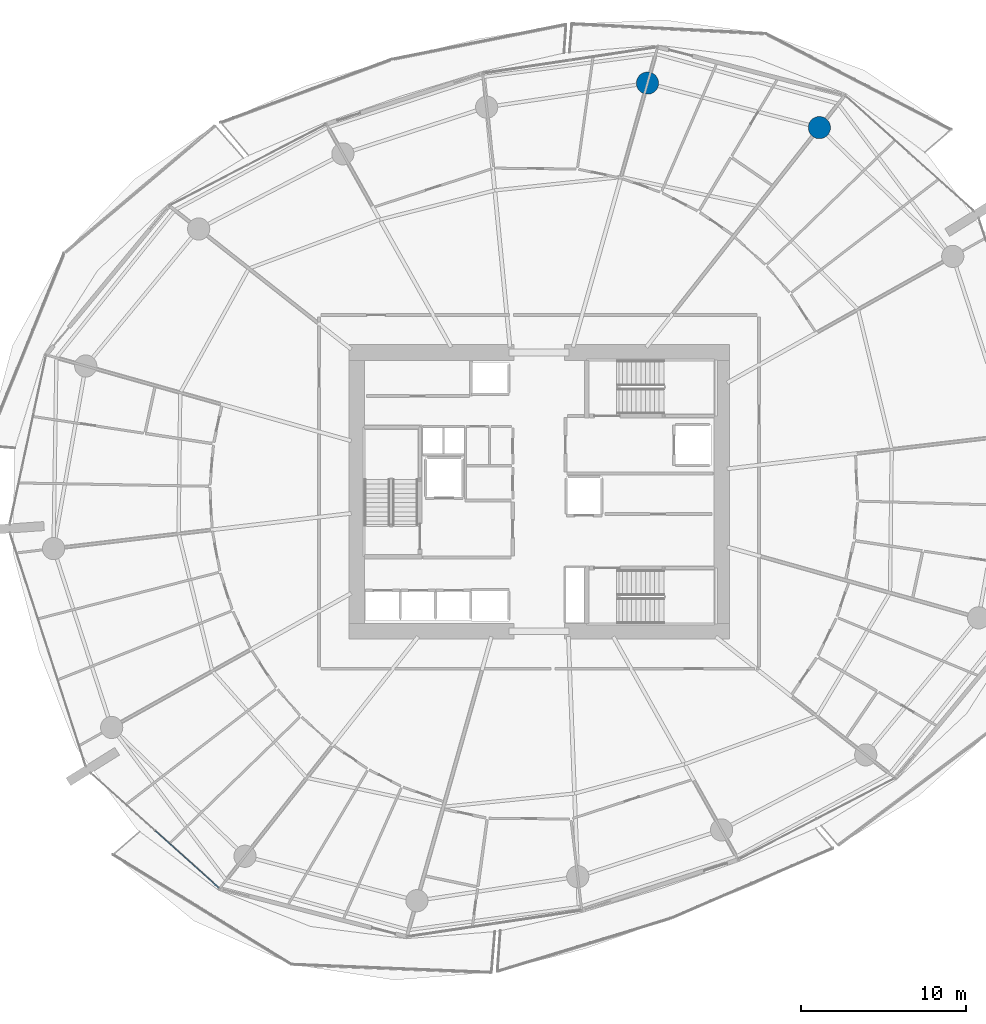
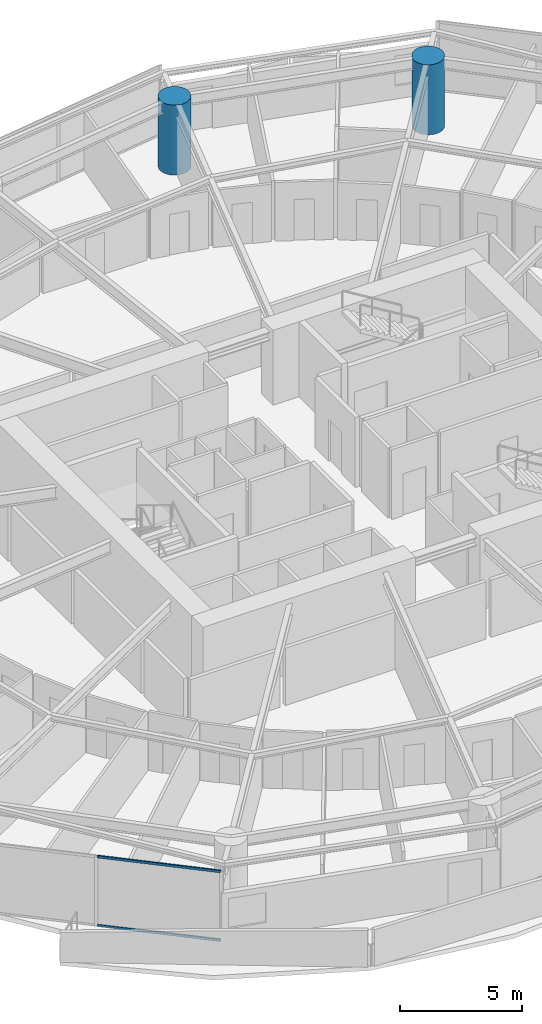
# One storey, part 6 of 31: 2 columns, 2 members, 1 element without a shape of its own.
"""IFC4 building model written with IfcOpenShell, lengths in metres."""

from ifc_helpers import new_model, si_unit, direction, frame, origin, origin_2d, place, context, subcontext, project, spatial, rectangle, circle, extrude, material, layer, layer_set, material_profile, profile_set, type_object, element, aggregate, save


model = new_model("IFC4")

# Units and contexts
model_context = context("Model", 3, precision=1e-05, world=origin(), true_north=direction((0.0, 1.0)))
body_context = subcontext(model_context, "Body", "Model", "MODEL_VIEW")
ifc_project = project(units=[si_unit("LENGTHUNIT", "METRE"), si_unit("AREAUNIT", "SQUARE_METRE"), si_unit("VOLUMEUNIT", "CUBIC_METRE"), si_unit("PLANEANGLEUNIT", "RADIAN"), si_unit("MASSUNIT", "GRAM", prefix="KILO")], contexts=[model_context])

# Site, building, storey
site_placement = place(None, origin())
site = spatial("IfcSite", under=ifc_project, at=site_placement, CompositionType="ELEMENT")
building_placement = place(site_placement, origin())
building = spatial("IfcBuilding", under=site, at=building_placement, Name="Kazma Halo Residences", CompositionType="ELEMENT")
storey_placement = place(building_placement, frame((0.0, 0.0, 52.64990234375)))
storey = spatial("IfcBuildingStorey", under=building, at=storey_placement, Name="L12", CompositionType="ELEMENT", Elevation=52.64990234375)

# Columns
ifc_material_1 = material(Name="Concrete C80/95", Category="concrete")
ifc_material_profile_1 = material_profile(ifc_material_1, circle(Radius=0.675048828125, at=origin_2d()), Name="CIRC1350")
ifc_profile_set_1 = profile_set([ifc_material_profile_1], Name="Concrete C80/95")
column_type = type_object("IfcColumnType", Name="COL-PERIM-1350", PredefinedType="COLUMN", material=ifc_profile_set_1)
for number, where, z_axis, x_axis, name in (
    (1, (65.458251953125, 64.145751953125, 0.0), (0.0, 0.0, 1.0), (1.0, 0.0, 0.0), "L12 perimeter ring column P02"),
    (2, (55.00830078125, 66.849365234375, 0.0), (0.0, 0.0, 1.0), (1.0, 0.0, 0.0), "L12 perimeter ring column P03"),
):
    element("IfcColumn", number, at=place(storey_placement, frame(where, z_axis=z_axis, x_axis=x_axis)), inside=storey, type_object=column_type, Name=name, PredefinedType="COLUMN", context=body_context, shape_type="SweptSolid", body=[
        extrude(circle(Radius=0.675048828125, at=origin_2d()), origin(), (0.0, 0.0, 1.0), 3.5),
    ])

# Curtain wall, members
ifc_material_2 = material(Name="Aluminium AW-6063 T6 and Triple-Silver Low-E Glass", Category="aluminium")
ifc_layer = layer(ifc_material_2, 0.159912109375)
ifc_layer_set = layer_set([ifc_layer], Name="Aluminium AW-6063 T6 and Triple-Silver Low-E Glass")
curtain_wall_type = type_object("IfcCurtainWallType", Name="CW-SYS-2", PredefinedType="NOTDEFINED", material=ifc_layer_set)
curtain_wall_placement = place(storey_placement, origin())
curtain_wall = element("IfcCurtainWall", 3, at=curtain_wall_placement, inside=storey, type_object=curtain_wall_type, Name="L12 unitised curtain wall B09", PredefinedType="NOTDEFINED")
ifc_material_3 = material(Name="Aluminium AW-6063 T6", Category="aluminium")
ifc_material_profile_2 = material_profile(ifc_material_3, rectangle(XDim=0.06005859375, YDim=0.1201171875, at=origin_2d()), Name="CWT-60x120")
ifc_profile_set_2 = profile_set([ifc_material_profile_2], Name="Aluminium AW-6063 T6")
member_type = type_object("IfcMemberType", Name="CW-SYS-2-TRN", PredefinedType="USERDEFINED", material=ifc_profile_set_2)
member_1_placement = place(storey_placement, frame((25.094970703125, 21.3896484375, 0.030029296875), z_axis=(0.744329408538, -0.66781264707, 0.0), x_axis=(0.66781264707, 0.744329408538, 0.0)))
member_1 = element("IfcMember", 4, at=member_1_placement, type_object=member_type, Name="CWS-2 transom 2.1", ObjectType="TRANSOM", PredefinedType="USERDEFINED", context=body_context, shape_type="SweptSolid", body=[
    extrude(rectangle(XDim=0.06005859375, YDim=0.1201171875, at=origin_2d()), origin(), (0.0, 0.0, 1.0), 5.178466796875),
])
member_2_placement = place(storey_placement, frame((25.094970703125, 21.3896484375, 3.47021484375), z_axis=(0.744329408538, -0.66781264707, 0.0), x_axis=(0.66781264707, 0.744329408538, 0.0)))
member_2 = element("IfcMember", 5, at=member_2_placement, type_object=member_type, Name="CWS-2 transom 2.2", ObjectType="TRANSOM", PredefinedType="USERDEFINED", context=body_context, shape_type="SweptSolid", body=[
    extrude(rectangle(XDim=0.06005859375, YDim=0.1201171875, at=origin_2d()), origin(), (0.0, 0.0, 1.0), 5.178466796875),
])
aggregate(curtain_wall, [member_1, member_2])

save(model, "model.ifc")
